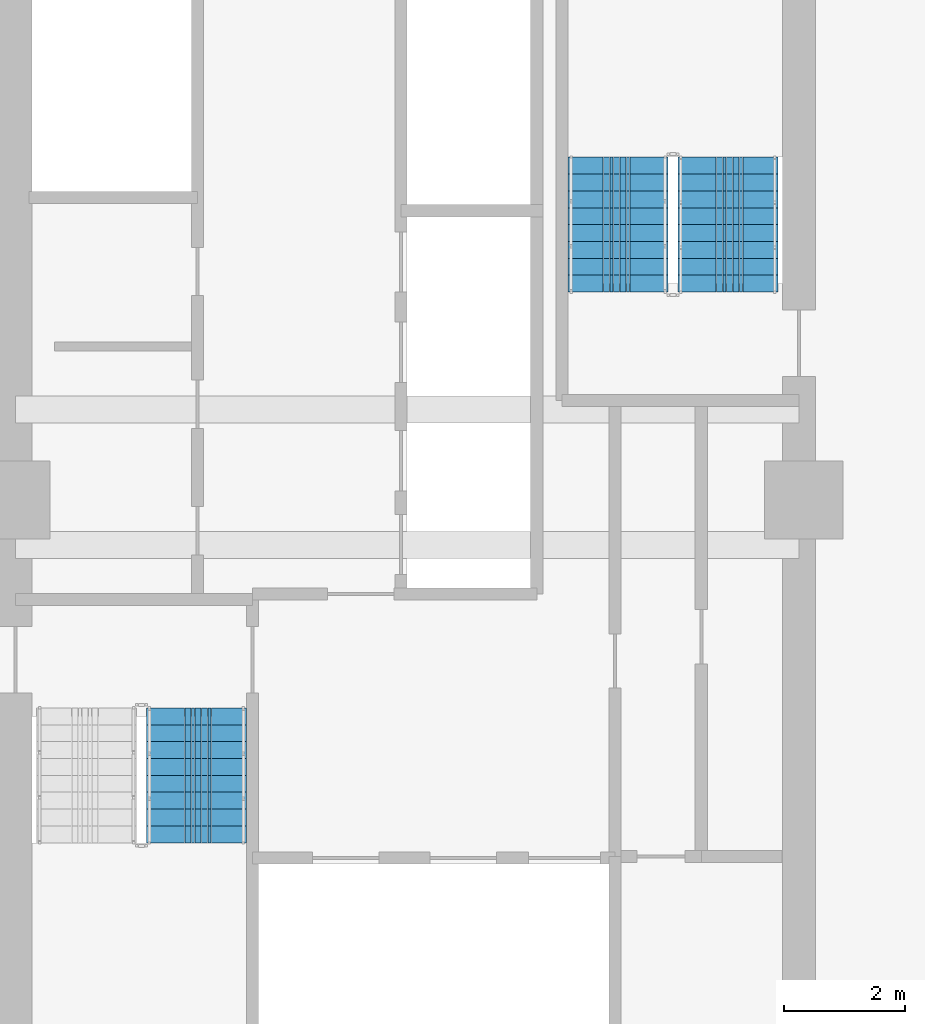
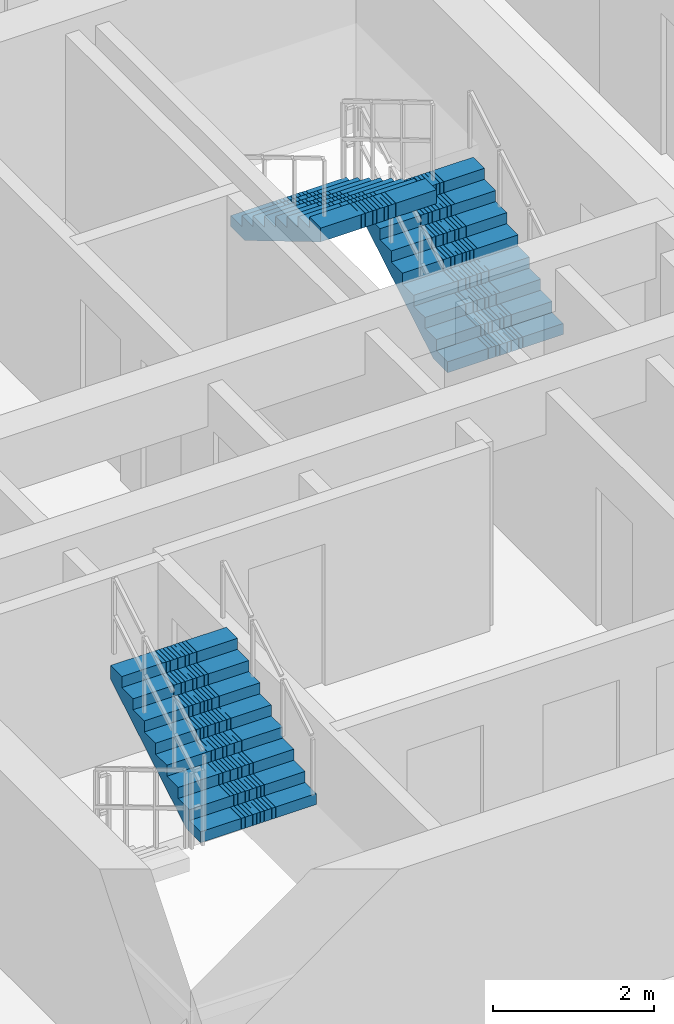
# One storey, part 9 of 13: 3 stair flights, 2 elements without a shape of their own.
"""IFC4 building model written with IfcOpenShell, lengths in metres."""

from ifc_helpers import new_model, si_unit, direction, frame, origin, place, context, subcontext, project, spatial, polyline, outline, extrude, material, type_object, element, aggregate, save


model = new_model("IFC4")

# Units and contexts
model_context = context("Model", 3, precision=1e-05, world=origin(), true_north=direction((0.0, 1.0)))
body_context = subcontext(model_context, "Body", "Model", "MODEL_VIEW")
ifc_project = project(units=[si_unit("LENGTHUNIT", "METRE"), si_unit("AREAUNIT", "SQUARE_METRE"), si_unit("VOLUMEUNIT", "CUBIC_METRE"), si_unit("PLANEANGLEUNIT", "RADIAN"), si_unit("MASSUNIT", "GRAM", prefix="KILO")], contexts=[model_context])

# Site, building, storey
site_placement = place(None, origin())
site = spatial("IfcSite", under=ifc_project, at=site_placement, CompositionType="ELEMENT")
building_placement = place(site_placement, origin())
building = spatial("IfcBuilding", under=site, at=building_placement, Name="Saelheon Loggia Tower", CompositionType="ELEMENT")
storey_placement = place(building_placement, frame((0.0, 0.0, 110.85009765625)))
storey = spatial("IfcBuildingStorey", under=building, at=storey_placement, Name="L35", CompositionType="ELEMENT", Elevation=110.85009765625)

# Stair, stair flight
ifc_material = material(Name="Concrete C40/50", Category="concrete")
stair_type = type_object("IfcStairType", Name="Stair_Escape_Core", PredefinedType="HALF_TURN_STAIR", material=ifc_material)
stair_1_placement = place(storey_placement, origin())
stair_1 = element("IfcStair", 1, at=stair_1_placement, inside=storey, type_object=stair_type, Name="L35 Special Escape Stair ST1", PredefinedType="HALF_TURN_STAIR")
stair_flight_type = type_object("IfcStairFlightType", Name="StairFlight_Tower_1660", PredefinedType="STRAIGHT", material=ifc_material)
stair_flight_1_placement = place(storey_placement, frame((34.5, 21.31005859375, 1.5), z_axis=(0.0, 0.0, 1.0), x_axis=(0.0, 1.0, 0.0)))
stair_flight_1 = element("IfcStairFlight", 2, at=stair_flight_1_placement, type_object=stair_flight_type, Name="ST1 flight 2", NumberOfRisers=9, NumberOfTreads=8, PredefinedType="STRAIGHT", RiserHeight=0.166666667, TreadLength=0.28, context=body_context, shape_type="SweptSolid", body=[
    extrude(outline(polyline([(0.0, 0.0), (0.0, 0.166748046875), (0.280029296875, 0.166748046875), (0.280029296875, 0.333251953125), (0.56005859375, 0.333251953125), (0.56005859375, 0.5), (0.840087890625, 0.5), (0.840087890625, 0.666748046875), (1.1201171875, 0.666748046875), (1.1201171875, 0.833251953125), (1.39990234375, 0.833251953125), (1.39990234375, 1.0), (1.679931640625, 1.0), (1.679931640625, 1.166748046875), (1.9599609375, 1.166748046875), (1.9599609375, 1.333251953125), (2.239990234375, 1.333251953125), (2.239990234375, 1.5), (2.239990234375, 1.1240234375), (0.351806640625, 0.0), (0.0, 0.0)])), frame((0.0, -0.2490234375, 0.0), z_axis=(0.0, -1.0, 0.0), x_axis=(1.0, 0.0, 0.0)), (0.0, 0.0, 1.0), 0.5810546875),
    extrude(outline(polyline([(0.0, 0.0), (0.0, 0.166748046875), (0.280029296875, 0.166748046875), (0.280029296875, 0.333251953125), (0.56005859375, 0.333251953125), (0.56005859375, 0.5), (0.840087890625, 0.5), (0.840087890625, 0.666748046875), (1.1201171875, 0.666748046875), (1.1201171875, 0.833251953125), (1.39990234375, 0.833251953125), (1.39990234375, 1.0), (1.679931640625, 1.0), (1.679931640625, 1.166748046875), (1.9599609375, 1.166748046875), (1.9599609375, 1.333251953125), (2.239990234375, 1.333251953125), (2.239990234375, 1.5), (2.239990234375, 1.1240234375), (0.351806640625, 0.0), (0.0, 0.0)])), frame((0.0, -0.194091796875, 0.0), z_axis=(0.0, -1.0, 0.0), x_axis=(1.0, 0.0, 0.0)), (0.0, 0.0, 1.0), 0.0498046875),
    extrude(outline(polyline([(0.0, 0.0), (0.0, 0.166748046875), (0.280029296875, 0.166748046875), (0.280029296875, 0.333251953125), (0.56005859375, 0.333251953125), (0.56005859375, 0.5), (0.840087890625, 0.5), (0.840087890625, 0.666748046875), (1.1201171875, 0.666748046875), (1.1201171875, 0.833251953125), (1.39990234375, 0.833251953125), (1.39990234375, 1.0), (1.679931640625, 1.0), (1.679931640625, 1.166748046875), (1.9599609375, 1.166748046875), (1.9599609375, 1.333251953125), (2.239990234375, 1.333251953125), (2.239990234375, 1.5), (2.239990234375, 1.1240234375), (0.351806640625, 0.0), (0.0, 0.0)])), frame((0.0, -0.139404296875, 0.0), z_axis=(0.0, -1.0, 0.0), x_axis=(1.0, 0.0, 0.0)), (0.0, 0.0, 1.0), 0.0498046875),
    extrude(outline(polyline([(0.0, 0.0), (0.0, 0.166748046875), (0.280029296875, 0.166748046875), (0.280029296875, 0.333251953125), (0.56005859375, 0.333251953125), (0.56005859375, 0.5), (0.840087890625, 0.5), (0.840087890625, 0.666748046875), (1.1201171875, 0.666748046875), (1.1201171875, 0.833251953125), (1.39990234375, 0.833251953125), (1.39990234375, 1.0), (1.679931640625, 1.0), (1.679931640625, 1.166748046875), (1.9599609375, 1.166748046875), (1.9599609375, 1.333251953125), (2.239990234375, 1.333251953125), (2.239990234375, 1.5), (2.239990234375, 1.1240234375), (0.351806640625, 0.0), (0.0, 0.0)])), frame((0.0, -0.084716796875, 0.0), z_axis=(0.0, -1.0, 0.0), x_axis=(1.0, 0.0, 0.0)), (0.0, 0.0, 1.0), 0.0498046875),
    extrude(outline(polyline([(0.0, 0.0), (0.0, 0.166748046875), (0.280029296875, 0.166748046875), (0.280029296875, 0.333251953125), (0.56005859375, 0.333251953125), (0.56005859375, 0.5), (0.840087890625, 0.5), (0.840087890625, 0.666748046875), (1.1201171875, 0.666748046875), (1.1201171875, 0.833251953125), (1.39990234375, 0.833251953125), (1.39990234375, 1.0), (1.679931640625, 1.0), (1.679931640625, 1.166748046875), (1.9599609375, 1.166748046875), (1.9599609375, 1.333251953125), (2.239990234375, 1.333251953125), (2.239990234375, 1.5), (2.239990234375, 1.1240234375), (0.351806640625, 0.0), (0.0, 0.0)])), frame((0.0, -0.02978515625, 0.0), z_axis=(0.0, -1.0, 0.0), x_axis=(1.0, 0.0, 0.0)), (0.0, 0.0, 1.0), 0.0498046875),
    extrude(outline(polyline([(0.0, 0.0), (0.0, 0.166748046875), (0.280029296875, 0.166748046875), (0.280029296875, 0.333251953125), (0.56005859375, 0.333251953125), (0.56005859375, 0.5), (0.840087890625, 0.5), (0.840087890625, 0.666748046875), (1.1201171875, 0.666748046875), (1.1201171875, 0.833251953125), (1.39990234375, 0.833251953125), (1.39990234375, 1.0), (1.679931640625, 1.0), (1.679931640625, 1.166748046875), (1.9599609375, 1.166748046875), (1.9599609375, 1.333251953125), (2.239990234375, 1.333251953125), (2.239990234375, 1.5), (2.239990234375, 1.1240234375), (0.351806640625, 0.0), (0.0, 0.0)])), frame((0.0, 0.02490234375, 0.0), z_axis=(0.0, -1.0, 0.0), x_axis=(1.0, 0.0, 0.0)), (0.0, 0.0, 1.0), 0.0498046875),
    extrude(outline(polyline([(0.0, 0.0), (0.0, 0.166748046875), (0.280029296875, 0.166748046875), (0.280029296875, 0.333251953125), (0.56005859375, 0.333251953125), (0.56005859375, 0.5), (0.840087890625, 0.5), (0.840087890625, 0.666748046875), (1.1201171875, 0.666748046875), (1.1201171875, 0.833251953125), (1.39990234375, 0.833251953125), (1.39990234375, 1.0), (1.679931640625, 1.0), (1.679931640625, 1.166748046875), (1.9599609375, 1.166748046875), (1.9599609375, 1.333251953125), (2.239990234375, 1.333251953125), (2.239990234375, 1.5), (2.239990234375, 1.1240234375), (0.351806640625, 0.0), (0.0, 0.0)])), frame((0.0, 0.07958984375, 0.0), z_axis=(0.0, -1.0, 0.0), x_axis=(1.0, 0.0, 0.0)), (0.0, 0.0, 1.0), 0.0498046875),
    extrude(outline(polyline([(0.0, 0.0), (0.0, 0.166748046875), (0.280029296875, 0.166748046875), (0.280029296875, 0.333251953125), (0.56005859375, 0.333251953125), (0.56005859375, 0.5), (0.840087890625, 0.5), (0.840087890625, 0.666748046875), (1.1201171875, 0.666748046875), (1.1201171875, 0.833251953125), (1.39990234375, 0.833251953125), (1.39990234375, 1.0), (1.679931640625, 1.0), (1.679931640625, 1.166748046875), (1.9599609375, 1.166748046875), (1.9599609375, 1.333251953125), (2.239990234375, 1.333251953125), (2.239990234375, 1.5), (2.239990234375, 1.1240234375), (0.351806640625, 0.0), (0.0, 0.0)])), frame((0.0, 0.134521484375, 0.0), z_axis=(0.0, -1.0, 0.0), x_axis=(1.0, 0.0, 0.0)), (0.0, 0.0, 1.0), 0.0498046875),
    extrude(outline(polyline([(0.0, 0.0), (0.0, 0.166748046875), (0.280029296875, 0.166748046875), (0.280029296875, 0.333251953125), (0.56005859375, 0.333251953125), (0.56005859375, 0.5), (0.840087890625, 0.5), (0.840087890625, 0.666748046875), (1.1201171875, 0.666748046875), (1.1201171875, 0.833251953125), (1.39990234375, 0.833251953125), (1.39990234375, 1.0), (1.679931640625, 1.0), (1.679931640625, 1.166748046875), (1.9599609375, 1.166748046875), (1.9599609375, 1.333251953125), (2.239990234375, 1.333251953125), (2.239990234375, 1.5), (2.239990234375, 1.1240234375), (0.351806640625, 0.0), (0.0, 0.0)])), frame((0.0, 0.189208984375, 0.0), z_axis=(0.0, -1.0, 0.0), x_axis=(1.0, 0.0, 0.0)), (0.0, 0.0, 1.0), 0.0498046875),
    extrude(outline(polyline([(0.0, 0.0), (0.0, 0.166748046875), (0.280029296875, 0.166748046875), (0.280029296875, 0.333251953125), (0.56005859375, 0.333251953125), (0.56005859375, 0.5), (0.840087890625, 0.5), (0.840087890625, 0.666748046875), (1.1201171875, 0.666748046875), (1.1201171875, 0.833251953125), (1.39990234375, 0.833251953125), (1.39990234375, 1.0), (1.679931640625, 1.0), (1.679931640625, 1.166748046875), (1.9599609375, 1.166748046875), (1.9599609375, 1.333251953125), (2.239990234375, 1.333251953125), (2.239990234375, 1.5), (2.239990234375, 1.1240234375), (0.351806640625, 0.0), (0.0, 0.0)])), frame((0.0, 0.243896484375, 0.0), z_axis=(0.0, -1.0, 0.0), x_axis=(1.0, 0.0, 0.0)), (0.0, 0.0, 1.0), 0.0498046875),
    extrude(outline(polyline([(0.0, 0.0), (0.0, 0.166748046875), (0.280029296875, 0.166748046875), (0.280029296875, 0.333251953125), (0.56005859375, 0.333251953125), (0.56005859375, 0.5), (0.840087890625, 0.5), (0.840087890625, 0.666748046875), (1.1201171875, 0.666748046875), (1.1201171875, 0.833251953125), (1.39990234375, 0.833251953125), (1.39990234375, 1.0), (1.679931640625, 1.0), (1.679931640625, 1.166748046875), (1.9599609375, 1.166748046875), (1.9599609375, 1.333251953125), (2.239990234375, 1.333251953125), (2.239990234375, 1.5), (2.239990234375, 1.1240234375), (0.351806640625, 0.0), (0.0, 0.0)])), frame((0.0, 0.830078125, 0.0), z_axis=(0.0, -1.0, 0.0), x_axis=(1.0, 0.0, 0.0)), (0.0, 0.0, 1.0), 0.5810546875),
])
aggregate(stair_1, [stair_flight_1])

# Stair, stair flights
stair_2_placement = place(storey_placement, origin())
stair_2 = element("IfcStair", 3, at=stair_2_placement, inside=storey, type_object=stair_type, Name="L35 Special Escape Stair ST2", PredefinedType="HALF_TURN_STAIR")
stair_flight_2_placement = place(storey_placement, frame((43.320068359375, 30.449951171875, 0.0), z_axis=(0.0, 0.0, 1.0), x_axis=(0.0, 1.0, 0.0)))
stair_flight_2 = element("IfcStairFlight", 4, at=stair_flight_2_placement, type_object=stair_flight_type, Name="ST2 flight 1", NumberOfRisers=9, NumberOfTreads=8, PredefinedType="STRAIGHT", RiserHeight=0.166666667, TreadLength=0.28, context=body_context, shape_type="SweptSolid", body=[
    extrude(outline(polyline([(0.0, 0.0), (0.0, 0.166748046875), (0.280029296875, 0.166748046875), (0.280029296875, 0.333251953125), (0.56005859375, 0.333251953125), (0.56005859375, 0.5), (0.840087890625, 0.5), (0.840087890625, 0.666748046875), (1.1201171875, 0.666748046875), (1.1201171875, 0.833251953125), (1.39990234375, 0.833251953125), (1.39990234375, 1.0), (1.679931640625, 1.0), (1.679931640625, 1.166748046875), (1.9599609375, 1.166748046875), (1.9599609375, 1.333251953125), (2.239990234375, 1.333251953125), (2.239990234375, 1.5), (2.239990234375, 1.1240234375), (0.351806640625, 0.0), (0.0, 0.0)])), frame((0.0, -0.2490234375, 0.0), z_axis=(0.0, -1.0, 0.0), x_axis=(1.0, 0.0, 0.0)), (0.0, 0.0, 1.0), 0.5810546875),
    extrude(outline(polyline([(0.0, 0.0), (0.0, 0.166748046875), (0.280029296875, 0.166748046875), (0.280029296875, 0.333251953125), (0.56005859375, 0.333251953125), (0.56005859375, 0.5), (0.840087890625, 0.5), (0.840087890625, 0.666748046875), (1.1201171875, 0.666748046875), (1.1201171875, 0.833251953125), (1.39990234375, 0.833251953125), (1.39990234375, 1.0), (1.679931640625, 1.0), (1.679931640625, 1.166748046875), (1.9599609375, 1.166748046875), (1.9599609375, 1.333251953125), (2.239990234375, 1.333251953125), (2.239990234375, 1.5), (2.239990234375, 1.1240234375), (0.351806640625, 0.0), (0.0, 0.0)])), frame((0.0, -0.194091796875, 0.0), z_axis=(0.0, -1.0, 0.0), x_axis=(1.0, 0.0, 0.0)), (0.0, 0.0, 1.0), 0.0498046875),
    extrude(outline(polyline([(0.0, 0.0), (0.0, 0.166748046875), (0.280029296875, 0.166748046875), (0.280029296875, 0.333251953125), (0.56005859375, 0.333251953125), (0.56005859375, 0.5), (0.840087890625, 0.5), (0.840087890625, 0.666748046875), (1.1201171875, 0.666748046875), (1.1201171875, 0.833251953125), (1.39990234375, 0.833251953125), (1.39990234375, 1.0), (1.679931640625, 1.0), (1.679931640625, 1.166748046875), (1.9599609375, 1.166748046875), (1.9599609375, 1.333251953125), (2.239990234375, 1.333251953125), (2.239990234375, 1.5), (2.239990234375, 1.1240234375), (0.351806640625, 0.0), (0.0, 0.0)])), frame((0.0, -0.139404296875, 0.0), z_axis=(0.0, -1.0, 0.0), x_axis=(1.0, 0.0, 0.0)), (0.0, 0.0, 1.0), 0.0498046875),
    extrude(outline(polyline([(0.0, 0.0), (0.0, 0.166748046875), (0.280029296875, 0.166748046875), (0.280029296875, 0.333251953125), (0.56005859375, 0.333251953125), (0.56005859375, 0.5), (0.840087890625, 0.5), (0.840087890625, 0.666748046875), (1.1201171875, 0.666748046875), (1.1201171875, 0.833251953125), (1.39990234375, 0.833251953125), (1.39990234375, 1.0), (1.679931640625, 1.0), (1.679931640625, 1.166748046875), (1.9599609375, 1.166748046875), (1.9599609375, 1.333251953125), (2.239990234375, 1.333251953125), (2.239990234375, 1.5), (2.239990234375, 1.1240234375), (0.351806640625, 0.0), (0.0, 0.0)])), frame((0.0, -0.084716796875, 0.0), z_axis=(0.0, -1.0, 0.0), x_axis=(1.0, 0.0, 0.0)), (0.0, 0.0, 1.0), 0.0498046875),
    extrude(outline(polyline([(0.0, 0.0), (0.0, 0.166748046875), (0.280029296875, 0.166748046875), (0.280029296875, 0.333251953125), (0.56005859375, 0.333251953125), (0.56005859375, 0.5), (0.840087890625, 0.5), (0.840087890625, 0.666748046875), (1.1201171875, 0.666748046875), (1.1201171875, 0.833251953125), (1.39990234375, 0.833251953125), (1.39990234375, 1.0), (1.679931640625, 1.0), (1.679931640625, 1.166748046875), (1.9599609375, 1.166748046875), (1.9599609375, 1.333251953125), (2.239990234375, 1.333251953125), (2.239990234375, 1.5), (2.239990234375, 1.1240234375), (0.351806640625, 0.0), (0.0, 0.0)])), frame((0.0, -0.02978515625, 0.0), z_axis=(0.0, -1.0, 0.0), x_axis=(1.0, 0.0, 0.0)), (0.0, 0.0, 1.0), 0.0498046875),
    extrude(outline(polyline([(0.0, 0.0), (0.0, 0.166748046875), (0.280029296875, 0.166748046875), (0.280029296875, 0.333251953125), (0.56005859375, 0.333251953125), (0.56005859375, 0.5), (0.840087890625, 0.5), (0.840087890625, 0.666748046875), (1.1201171875, 0.666748046875), (1.1201171875, 0.833251953125), (1.39990234375, 0.833251953125), (1.39990234375, 1.0), (1.679931640625, 1.0), (1.679931640625, 1.166748046875), (1.9599609375, 1.166748046875), (1.9599609375, 1.333251953125), (2.239990234375, 1.333251953125), (2.239990234375, 1.5), (2.239990234375, 1.1240234375), (0.351806640625, 0.0), (0.0, 0.0)])), frame((0.0, 0.02490234375, 0.0), z_axis=(0.0, -1.0, 0.0), x_axis=(1.0, 0.0, 0.0)), (0.0, 0.0, 1.0), 0.0498046875),
    extrude(outline(polyline([(0.0, 0.0), (0.0, 0.166748046875), (0.280029296875, 0.166748046875), (0.280029296875, 0.333251953125), (0.56005859375, 0.333251953125), (0.56005859375, 0.5), (0.840087890625, 0.5), (0.840087890625, 0.666748046875), (1.1201171875, 0.666748046875), (1.1201171875, 0.833251953125), (1.39990234375, 0.833251953125), (1.39990234375, 1.0), (1.679931640625, 1.0), (1.679931640625, 1.166748046875), (1.9599609375, 1.166748046875), (1.9599609375, 1.333251953125), (2.239990234375, 1.333251953125), (2.239990234375, 1.5), (2.239990234375, 1.1240234375), (0.351806640625, 0.0), (0.0, 0.0)])), frame((0.0, 0.07958984375, 0.0), z_axis=(0.0, -1.0, 0.0), x_axis=(1.0, 0.0, 0.0)), (0.0, 0.0, 1.0), 0.0498046875),
    extrude(outline(polyline([(0.0, 0.0), (0.0, 0.166748046875), (0.280029296875, 0.166748046875), (0.280029296875, 0.333251953125), (0.56005859375, 0.333251953125), (0.56005859375, 0.5), (0.840087890625, 0.5), (0.840087890625, 0.666748046875), (1.1201171875, 0.666748046875), (1.1201171875, 0.833251953125), (1.39990234375, 0.833251953125), (1.39990234375, 1.0), (1.679931640625, 1.0), (1.679931640625, 1.166748046875), (1.9599609375, 1.166748046875), (1.9599609375, 1.333251953125), (2.239990234375, 1.333251953125), (2.239990234375, 1.5), (2.239990234375, 1.1240234375), (0.351806640625, 0.0), (0.0, 0.0)])), frame((0.0, 0.134521484375, 0.0), z_axis=(0.0, -1.0, 0.0), x_axis=(1.0, 0.0, 0.0)), (0.0, 0.0, 1.0), 0.0498046875),
    extrude(outline(polyline([(0.0, 0.0), (0.0, 0.166748046875), (0.280029296875, 0.166748046875), (0.280029296875, 0.333251953125), (0.56005859375, 0.333251953125), (0.56005859375, 0.5), (0.840087890625, 0.5), (0.840087890625, 0.666748046875), (1.1201171875, 0.666748046875), (1.1201171875, 0.833251953125), (1.39990234375, 0.833251953125), (1.39990234375, 1.0), (1.679931640625, 1.0), (1.679931640625, 1.166748046875), (1.9599609375, 1.166748046875), (1.9599609375, 1.333251953125), (2.239990234375, 1.333251953125), (2.239990234375, 1.5), (2.239990234375, 1.1240234375), (0.351806640625, 0.0), (0.0, 0.0)])), frame((0.0, 0.189208984375, 0.0), z_axis=(0.0, -1.0, 0.0), x_axis=(1.0, 0.0, 0.0)), (0.0, 0.0, 1.0), 0.0498046875),
    extrude(outline(polyline([(0.0, 0.0), (0.0, 0.166748046875), (0.280029296875, 0.166748046875), (0.280029296875, 0.333251953125), (0.56005859375, 0.333251953125), (0.56005859375, 0.5), (0.840087890625, 0.5), (0.840087890625, 0.666748046875), (1.1201171875, 0.666748046875), (1.1201171875, 0.833251953125), (1.39990234375, 0.833251953125), (1.39990234375, 1.0), (1.679931640625, 1.0), (1.679931640625, 1.166748046875), (1.9599609375, 1.166748046875), (1.9599609375, 1.333251953125), (2.239990234375, 1.333251953125), (2.239990234375, 1.5), (2.239990234375, 1.1240234375), (0.351806640625, 0.0), (0.0, 0.0)])), frame((0.0, 0.243896484375, 0.0), z_axis=(0.0, -1.0, 0.0), x_axis=(1.0, 0.0, 0.0)), (0.0, 0.0, 1.0), 0.0498046875),
    extrude(outline(polyline([(0.0, 0.0), (0.0, 0.166748046875), (0.280029296875, 0.166748046875), (0.280029296875, 0.333251953125), (0.56005859375, 0.333251953125), (0.56005859375, 0.5), (0.840087890625, 0.5), (0.840087890625, 0.666748046875), (1.1201171875, 0.666748046875), (1.1201171875, 0.833251953125), (1.39990234375, 0.833251953125), (1.39990234375, 1.0), (1.679931640625, 1.0), (1.679931640625, 1.166748046875), (1.9599609375, 1.166748046875), (1.9599609375, 1.333251953125), (2.239990234375, 1.333251953125), (2.239990234375, 1.5), (2.239990234375, 1.1240234375), (0.351806640625, 0.0), (0.0, 0.0)])), frame((0.0, 0.830078125, 0.0), z_axis=(0.0, -1.0, 0.0), x_axis=(1.0, 0.0, 0.0)), (0.0, 0.0, 1.0), 0.5810546875),
])
stair_flight_3_placement = place(storey_placement, frame((41.5, 32.68994140625, 1.5), z_axis=(0.0, 0.0, 1.0), x_axis=(0.0, -1.0, 0.0)))
stair_flight_3 = element("IfcStairFlight", 5, at=stair_flight_3_placement, type_object=stair_flight_type, Name="ST2 flight 2", NumberOfRisers=9, NumberOfTreads=8, PredefinedType="STRAIGHT", RiserHeight=0.166666667, TreadLength=0.28, context=body_context, shape_type="SweptSolid", body=[
    extrude(outline(polyline([(0.0, 0.0), (0.0, 0.166748046875), (0.280029296875, 0.166748046875), (0.280029296875, 0.333251953125), (0.56005859375, 0.333251953125), (0.56005859375, 0.5), (0.840087890625, 0.5), (0.840087890625, 0.666748046875), (1.1201171875, 0.666748046875), (1.1201171875, 0.833251953125), (1.39990234375, 0.833251953125), (1.39990234375, 1.0), (1.679931640625, 1.0), (1.679931640625, 1.166748046875), (1.9599609375, 1.166748046875), (1.9599609375, 1.333251953125), (2.239990234375, 1.333251953125), (2.239990234375, 1.5), (2.239990234375, 1.1240234375), (0.351806640625, 0.0), (0.0, 0.0)])), frame((0.0, -0.2490234375, 0.0), z_axis=(0.0, -1.0, 0.0), x_axis=(1.0, 0.0, 0.0)), (0.0, 0.0, 1.0), 0.5810546875),
    extrude(outline(polyline([(0.0, 0.0), (0.0, 0.166748046875), (0.280029296875, 0.166748046875), (0.280029296875, 0.333251953125), (0.56005859375, 0.333251953125), (0.56005859375, 0.5), (0.840087890625, 0.5), (0.840087890625, 0.666748046875), (1.1201171875, 0.666748046875), (1.1201171875, 0.833251953125), (1.39990234375, 0.833251953125), (1.39990234375, 1.0), (1.679931640625, 1.0), (1.679931640625, 1.166748046875), (1.9599609375, 1.166748046875), (1.9599609375, 1.333251953125), (2.239990234375, 1.333251953125), (2.239990234375, 1.5), (2.239990234375, 1.1240234375), (0.351806640625, 0.0), (0.0, 0.0)])), frame((0.0, -0.194091796875, 0.0), z_axis=(0.0, -1.0, 0.0), x_axis=(1.0, 0.0, 0.0)), (0.0, 0.0, 1.0), 0.0498046875),
    extrude(outline(polyline([(0.0, 0.0), (0.0, 0.166748046875), (0.280029296875, 0.166748046875), (0.280029296875, 0.333251953125), (0.56005859375, 0.333251953125), (0.56005859375, 0.5), (0.840087890625, 0.5), (0.840087890625, 0.666748046875), (1.1201171875, 0.666748046875), (1.1201171875, 0.833251953125), (1.39990234375, 0.833251953125), (1.39990234375, 1.0), (1.679931640625, 1.0), (1.679931640625, 1.166748046875), (1.9599609375, 1.166748046875), (1.9599609375, 1.333251953125), (2.239990234375, 1.333251953125), (2.239990234375, 1.5), (2.239990234375, 1.1240234375), (0.351806640625, 0.0), (0.0, 0.0)])), frame((0.0, -0.139404296875, 0.0), z_axis=(0.0, -1.0, 0.0), x_axis=(1.0, 0.0, 0.0)), (0.0, 0.0, 1.0), 0.0498046875),
    extrude(outline(polyline([(0.0, 0.0), (0.0, 0.166748046875), (0.280029296875, 0.166748046875), (0.280029296875, 0.333251953125), (0.56005859375, 0.333251953125), (0.56005859375, 0.5), (0.840087890625, 0.5), (0.840087890625, 0.666748046875), (1.1201171875, 0.666748046875), (1.1201171875, 0.833251953125), (1.39990234375, 0.833251953125), (1.39990234375, 1.0), (1.679931640625, 1.0), (1.679931640625, 1.166748046875), (1.9599609375, 1.166748046875), (1.9599609375, 1.333251953125), (2.239990234375, 1.333251953125), (2.239990234375, 1.5), (2.239990234375, 1.1240234375), (0.351806640625, 0.0), (0.0, 0.0)])), frame((0.0, -0.084716796875, 0.0), z_axis=(0.0, -1.0, 0.0), x_axis=(1.0, 0.0, 0.0)), (0.0, 0.0, 1.0), 0.0498046875),
    extrude(outline(polyline([(0.0, 0.0), (0.0, 0.166748046875), (0.280029296875, 0.166748046875), (0.280029296875, 0.333251953125), (0.56005859375, 0.333251953125), (0.56005859375, 0.5), (0.840087890625, 0.5), (0.840087890625, 0.666748046875), (1.1201171875, 0.666748046875), (1.1201171875, 0.833251953125), (1.39990234375, 0.833251953125), (1.39990234375, 1.0), (1.679931640625, 1.0), (1.679931640625, 1.166748046875), (1.9599609375, 1.166748046875), (1.9599609375, 1.333251953125), (2.239990234375, 1.333251953125), (2.239990234375, 1.5), (2.239990234375, 1.1240234375), (0.351806640625, 0.0), (0.0, 0.0)])), frame((0.0, -0.02978515625, 0.0), z_axis=(0.0, -1.0, 0.0), x_axis=(1.0, 0.0, 0.0)), (0.0, 0.0, 1.0), 0.0498046875),
    extrude(outline(polyline([(0.0, 0.0), (0.0, 0.166748046875), (0.280029296875, 0.166748046875), (0.280029296875, 0.333251953125), (0.56005859375, 0.333251953125), (0.56005859375, 0.5), (0.840087890625, 0.5), (0.840087890625, 0.666748046875), (1.1201171875, 0.666748046875), (1.1201171875, 0.833251953125), (1.39990234375, 0.833251953125), (1.39990234375, 1.0), (1.679931640625, 1.0), (1.679931640625, 1.166748046875), (1.9599609375, 1.166748046875), (1.9599609375, 1.333251953125), (2.239990234375, 1.333251953125), (2.239990234375, 1.5), (2.239990234375, 1.1240234375), (0.351806640625, 0.0), (0.0, 0.0)])), frame((0.0, 0.02490234375, 0.0), z_axis=(0.0, -1.0, 0.0), x_axis=(1.0, 0.0, 0.0)), (0.0, 0.0, 1.0), 0.0498046875),
    extrude(outline(polyline([(0.0, 0.0), (0.0, 0.166748046875), (0.280029296875, 0.166748046875), (0.280029296875, 0.333251953125), (0.56005859375, 0.333251953125), (0.56005859375, 0.5), (0.840087890625, 0.5), (0.840087890625, 0.666748046875), (1.1201171875, 0.666748046875), (1.1201171875, 0.833251953125), (1.39990234375, 0.833251953125), (1.39990234375, 1.0), (1.679931640625, 1.0), (1.679931640625, 1.166748046875), (1.9599609375, 1.166748046875), (1.9599609375, 1.333251953125), (2.239990234375, 1.333251953125), (2.239990234375, 1.5), (2.239990234375, 1.1240234375), (0.351806640625, 0.0), (0.0, 0.0)])), frame((0.0, 0.07958984375, 0.0), z_axis=(0.0, -1.0, 0.0), x_axis=(1.0, 0.0, 0.0)), (0.0, 0.0, 1.0), 0.0498046875),
    extrude(outline(polyline([(0.0, 0.0), (0.0, 0.166748046875), (0.280029296875, 0.166748046875), (0.280029296875, 0.333251953125), (0.56005859375, 0.333251953125), (0.56005859375, 0.5), (0.840087890625, 0.5), (0.840087890625, 0.666748046875), (1.1201171875, 0.666748046875), (1.1201171875, 0.833251953125), (1.39990234375, 0.833251953125), (1.39990234375, 1.0), (1.679931640625, 1.0), (1.679931640625, 1.166748046875), (1.9599609375, 1.166748046875), (1.9599609375, 1.333251953125), (2.239990234375, 1.333251953125), (2.239990234375, 1.5), (2.239990234375, 1.1240234375), (0.351806640625, 0.0), (0.0, 0.0)])), frame((0.0, 0.134521484375, 0.0), z_axis=(0.0, -1.0, 0.0), x_axis=(1.0, 0.0, 0.0)), (0.0, 0.0, 1.0), 0.0498046875),
    extrude(outline(polyline([(0.0, 0.0), (0.0, 0.166748046875), (0.280029296875, 0.166748046875), (0.280029296875, 0.333251953125), (0.56005859375, 0.333251953125), (0.56005859375, 0.5), (0.840087890625, 0.5), (0.840087890625, 0.666748046875), (1.1201171875, 0.666748046875), (1.1201171875, 0.833251953125), (1.39990234375, 0.833251953125), (1.39990234375, 1.0), (1.679931640625, 1.0), (1.679931640625, 1.166748046875), (1.9599609375, 1.166748046875), (1.9599609375, 1.333251953125), (2.239990234375, 1.333251953125), (2.239990234375, 1.5), (2.239990234375, 1.1240234375), (0.351806640625, 0.0), (0.0, 0.0)])), frame((0.0, 0.189208984375, 0.0), z_axis=(0.0, -1.0, 0.0), x_axis=(1.0, 0.0, 0.0)), (0.0, 0.0, 1.0), 0.0498046875),
    extrude(outline(polyline([(0.0, 0.0), (0.0, 0.166748046875), (0.280029296875, 0.166748046875), (0.280029296875, 0.333251953125), (0.56005859375, 0.333251953125), (0.56005859375, 0.5), (0.840087890625, 0.5), (0.840087890625, 0.666748046875), (1.1201171875, 0.666748046875), (1.1201171875, 0.833251953125), (1.39990234375, 0.833251953125), (1.39990234375, 1.0), (1.679931640625, 1.0), (1.679931640625, 1.166748046875), (1.9599609375, 1.166748046875), (1.9599609375, 1.333251953125), (2.239990234375, 1.333251953125), (2.239990234375, 1.5), (2.239990234375, 1.1240234375), (0.351806640625, 0.0), (0.0, 0.0)])), frame((0.0, 0.243896484375, 0.0), z_axis=(0.0, -1.0, 0.0), x_axis=(1.0, 0.0, 0.0)), (0.0, 0.0, 1.0), 0.0498046875),
    extrude(outline(polyline([(0.0, 0.0), (0.0, 0.166748046875), (0.280029296875, 0.166748046875), (0.280029296875, 0.333251953125), (0.56005859375, 0.333251953125), (0.56005859375, 0.5), (0.840087890625, 0.5), (0.840087890625, 0.666748046875), (1.1201171875, 0.666748046875), (1.1201171875, 0.833251953125), (1.39990234375, 0.833251953125), (1.39990234375, 1.0), (1.679931640625, 1.0), (1.679931640625, 1.166748046875), (1.9599609375, 1.166748046875), (1.9599609375, 1.333251953125), (2.239990234375, 1.333251953125), (2.239990234375, 1.5), (2.239990234375, 1.1240234375), (0.351806640625, 0.0), (0.0, 0.0)])), frame((0.0, 0.830078125, 0.0), z_axis=(0.0, -1.0, 0.0), x_axis=(1.0, 0.0, 0.0)), (0.0, 0.0, 1.0), 0.5810546875),
])
aggregate(stair_2, [stair_flight_2, stair_flight_3])

save(model, "model.ifc")
